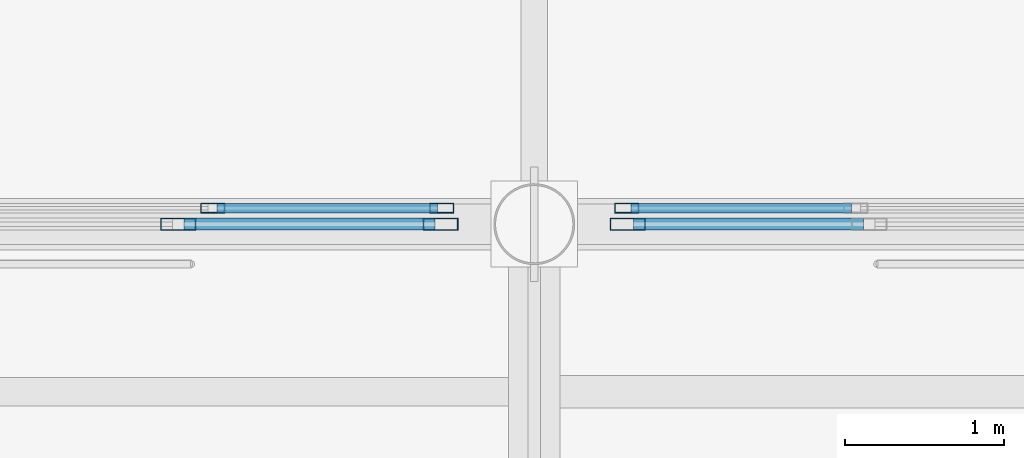
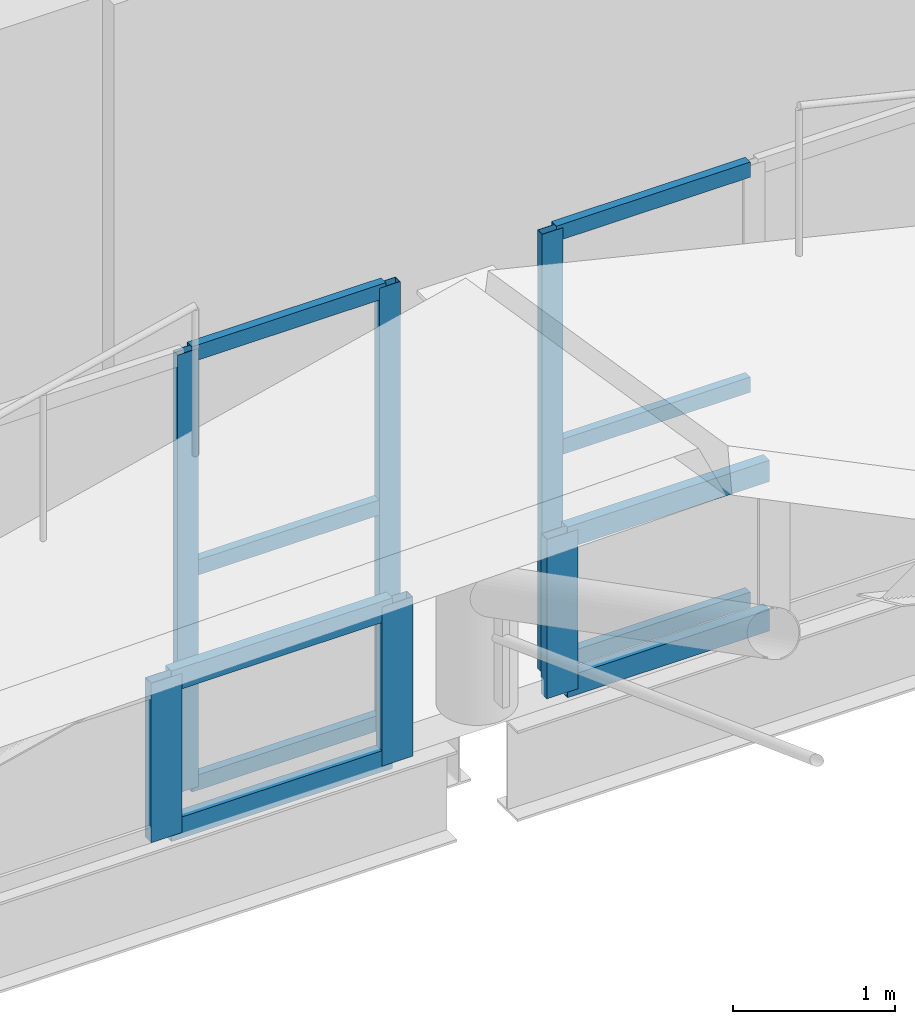
# One storey, part 25 of 120: 16 members, 4 elements without a shape of their own.
"""IFC4 building model written with IfcOpenShell, lengths in metres."""

import ifcopenshell
import ifcopenshell.guid

model = None  # the IFC model being written
_history = None  # IfcOwnerHistory: only IFC2X3 demands one
_inside = {}  # id of a spatial element -> (the spatial element, [elements in it])
_under = {}  # id of a project, library or spatial element -> (it, [spatial elements below it])
_declared = {}  # id of a project -> (the project, [libraries it declares])
_typed = {}  # id of a type object -> (the type object, [elements of that type])
_made_of = {}  # id of a material, layer set ... -> (it, [elements and type objects made of it])


def new_model(schema):
    """Start an empty IFC model of exactly this schema.

    Asked for "IFC4X3", IfcOpenShell would pick the latest addendum, in which some entities
    have other attributes; the version numbers below select the first issue.
    IFC2X3 requires an IfcOwnerHistory on every rooted entity: one is made here for all.
    """
    global model, _history
    if schema == "IFC4X3":
        model = ifcopenshell.file(schema_version=(4, 3, 0, 0))
    else:
        model = ifcopenshell.file(schema=schema)
    _inside.clear()
    _under.clear()
    _declared.clear()
    _typed.clear()
    _made_of.clear()
    _history = None
    if model.schema == "IFC2X3":
        org = make("IfcOrganization", Name="unknown")
        user = make(
            "IfcPersonAndOrganization",
            ThePerson=make("IfcPerson", FamilyName="unknown"),
            TheOrganization=org,
        )
        app = make(
            "IfcApplication",
            ApplicationDeveloper=org,
            Version="unknown",
            ApplicationFullName="unknown",
            ApplicationIdentifier="unknown",
        )
        _history = make(
            "IfcOwnerHistory",
            OwningUser=user,
            OwningApplication=app,
            ChangeAction="ADDED",
            CreationDate=0,
        )
    return model


def make(cls, **values):
    """One entity of the class cls with the attributes given. An attribute that is None is left unset."""
    return model.create_entity(
        cls, **{name: value for name, value in values.items() if value is not None}
    )


def rooted(cls, **values):
    """An entity with a GlobalId (a new one), such as an element, a storey or a relation."""
    return make(cls, GlobalId=ifcopenshell.guid.new(), OwnerHistory=_history, **values)


def si_unit(unit_type, name, prefix=None):
    """IfcSIUnit, for example si_unit("LENGTHUNIT", "METRE", prefix="MILLI")."""
    return make("IfcSIUnit", UnitType=unit_type, Prefix=prefix, Name=name)


def assignment(units):
    """IfcUnitAssignment: the units of a project."""
    return None if units is None else make("IfcUnitAssignment", Units=units)


def point(xyz):
    """IfcCartesianPoint."""
    return None if xyz is None else make("IfcCartesianPoint", Coordinates=xyz)


def direction(xyz):
    """IfcDirection."""
    return None if xyz is None else make("IfcDirection", DirectionRatios=xyz)


def frame(location, z_axis=None, x_axis=None):
    """IfcAxis2Placement3D, a coordinate frame: its origin and axes. An axis left out is left unset."""
    return make(
        "IfcAxis2Placement3D",
        Location=point(location),
        Axis=direction(z_axis),
        RefDirection=direction(x_axis),
    )


def frame_2d(location, x_axis=None):
    """IfcAxis2Placement2D, a coordinate frame in the plane: its origin and x axis."""
    return make(
        "IfcAxis2Placement2D", Location=point(location), RefDirection=direction(x_axis)
    )


def origin():
    """The frame at (0, 0, 0) with its axes left unset."""
    return frame((0.0, 0.0, 0.0))


def origin_2d():
    """The frame at (0, 0) in the plane with its x axis left unset."""
    return frame_2d((0.0, 0.0))


def place(relative_to, where):
    """IfcLocalPlacement: puts the frame where relative to a parent placement (None: the world)."""
    return make(
        "IfcLocalPlacement", PlacementRelTo=relative_to, RelativePlacement=where
    )


def context(
    kind, dimensions, precision=None, world=None, true_north=None, identifier=None
):
    """IfcGeometricRepresentationContext, for example the 3D "Model" context."""
    return make(
        "IfcGeometricRepresentationContext",
        ContextIdentifier=identifier,
        ContextType=kind,
        CoordinateSpaceDimension=dimensions,
        Precision=precision,
        WorldCoordinateSystem=world,
        TrueNorth=true_north,
    )


def subcontext(parent, identifier, kind, view, scale=None):
    """IfcGeometricRepresentationSubContext, for example "Body" below "Model"."""
    return make(
        "IfcGeometricRepresentationSubContext",
        ContextIdentifier=identifier,
        ContextType=kind,
        ParentContext=parent,
        TargetScale=scale,
        TargetView=view,
    )


def project(units=None, contexts=None):
    """IfcProject with its units and contexts."""
    return rooted(
        "IfcProject",
        Name="project",
        RepresentationContexts=contexts,
        UnitsInContext=assignment(units),
    )


def spatial(cls, under=None, at=None, **own):
    """A site, building, storey or space (cls), placed at a placement, below another one or the project."""
    s = rooted(cls, ObjectPlacement=at, **own)
    if under is not None:
        _under.setdefault(under.id(), (under, []))[1].append(s)
    return s


def profile(cls, at=None, kind="AREA", **sizes):
    """A parametric profile (cls). Its sizes go by their IFC names, for example OverallWidth=200.0."""
    return make(cls, ProfileType=kind, Position=at, **sizes)


def hollow_rectangle(**sizes):
    """IfcRectangleHollowProfileDef."""
    return profile("IfcRectangleHollowProfileDef", **sizes)


def extrude(swept, where, along, depth):
    """IfcExtrudedAreaSolid: the profile swept, set in the frame where, extruded along a direction by depth."""
    return make(
        "IfcExtrudedAreaSolid",
        SweptArea=swept,
        Position=where,
        ExtrudedDirection=direction(along),
        Depth=depth,
    )


def shape(context_of_items, identifier, shape_type, items):
    """IfcShapeRepresentation: the items that make up one representation, for example the "Body"."""
    return make(
        "IfcShapeRepresentation",
        ContextOfItems=context_of_items,
        RepresentationIdentifier=identifier,
        RepresentationType=shape_type,
        Items=items,
    )


def material(Name=None, Category=None):
    """IfcMaterial."""
    return make("IfcMaterial", Name=Name, Category=Category)


def material_profile(
    of_material, cross_section, Name=None, Category=None, Priority=None
):
    """IfcMaterialProfile: a cross section and its material."""
    return make(
        "IfcMaterialProfile",
        Name=Name,
        Material=of_material,
        Profile=cross_section,
        Priority=Priority,
        Category=Category,
    )


def profile_set(profiles, Name=None, composite=None):
    """IfcMaterialProfileSet."""
    return make(
        "IfcMaterialProfileSet",
        Name=Name,
        MaterialProfiles=profiles,
        CompositeProfile=composite,
    )


def made_of(thing, what):
    """Note that an element or type object is made of a material, layer set ...; save() writes the relation."""
    if what is not None:
        _made_of.setdefault(what.id(), (what, []))[1].append(thing)
    return thing


def type_object(cls, material=None, **own):
    """A type object (cls), such as IfcWallType, which elements share."""
    return made_of(rooted(cls, **own), material)


def element(
    cls,
    number,
    at=None,
    inside=None,
    cuts=None,
    type_object=None,
    material=None,
    context=None,
    identifier="Body",
    shape_type=None,
    held_by="IfcProductDefinitionShape",
    body=None,
    shapes=None,
    **own,
):
    """One element of the class cls, such as IfcWall. Its Tag is "e" and its number.

    at: its placement. inside: the storey or other place that contains it. cuts: it is an
    opening in that element (IfcRelVoidsElement). A single representation is given by context,
    identifier, shape_type and body (its items); several are given by shapes. held_by: the class
    of the entity that holds the representations. save() writes the other relations.
    """
    e = rooted(cls, Tag="e%d" % number, ObjectPlacement=at, **own)
    if body is not None:
        shapes = [shape(context, identifier, shape_type, body)]
    if shapes is not None:
        e.Representation = make(held_by, Representations=shapes)
    if inside is not None:
        _inside.setdefault(inside.id(), (inside, []))[1].append(e)
    if cuts is not None:
        rooted(
            "IfcRelVoidsElement", RelatingBuildingElement=cuts, RelatedOpeningElement=e
        )
    if type_object is not None:
        _typed.setdefault(type_object.id(), (type_object, []))[1].append(e)
    return made_of(e, material)


def aggregate(whole, parts):
    """IfcRelAggregates: a whole, such as a stair, and the parts it consists of."""
    return rooted("IfcRelAggregates", RelatingObject=whole, RelatedObjects=parts)


def save(model, path):
    """Write the relations noted so far, then the file.

    IfcRelAggregates (storeys below a building ...), IfcRelContainedInSpatialStructure (elements
    in a storey), IfcRelDefinesByType, IfcRelAssociatesMaterial and IfcRelDeclares: one each for
    every whole, place, type object, material and project.
    """
    for whole, parts in _under.values():
        aggregate(whole, parts)
    for where, things in _inside.values():
        rooted(
            "IfcRelContainedInSpatialStructure",
            RelatedElements=things,
            RelatingStructure=where,
        )
    for kind, things in _typed.values():
        rooted("IfcRelDefinesByType", RelatedObjects=things, RelatingType=kind)
    for what, things in _made_of.values():
        rooted("IfcRelAssociatesMaterial", RelatedObjects=things, RelatingMaterial=what)
    for by, libraries in _declared.values():
        rooted("IfcRelDeclares", RelatingContext=by, RelatedDefinitions=libraries)
    model.write(path)


model = new_model("IFC4")

# Units and contexts
model_context = context("Model", 3, precision=1e-05, world=origin(), true_north=direction((0.0, 1.0)))
body_context = subcontext(model_context, "Body", "Model", "MODEL_VIEW")
ifc_project = project(units=[si_unit("LENGTHUNIT", "METRE"), si_unit("AREAUNIT", "SQUARE_METRE"), si_unit("VOLUMEUNIT", "CUBIC_METRE"), si_unit("PLANEANGLEUNIT", "RADIAN"), si_unit("MASSUNIT", "GRAM", prefix="KILO")], contexts=[model_context])

# Site, building, storey
site_placement = place(None, origin())
site = spatial("IfcSite", under=ifc_project, at=site_placement, CompositionType="ELEMENT")
building_placement = place(site_placement, origin())
building = spatial("IfcBuilding", under=site, at=building_placement, Name="Caurita Quay Ferry Terminal", CompositionType="ELEMENT")
storey_placement = place(building_placement, frame((0.0, 0.0, 9.89990234375)))
storey = spatial("IfcBuildingStorey", under=building, at=storey_placement, Name="L02", CompositionType="ELEMENT", Elevation=9.89990234375)

# Curtain wall, members
ifc_material_1 = material(Name="Laminated solar-control insulated glass", Category="glass")
curtain_wall_type_1 = type_object("IfcCurtainWallType", Name="CW-SYS-13", PredefinedType="NOTDEFINED", material=ifc_material_1)
curtain_wall_1_placement = place(storey_placement, origin())
curtain_wall_1 = element("IfcCurtainWall", 1, at=curtain_wall_1_placement, inside=storey, type_object=curtain_wall_type_1, Name="Mezzanine Hall Overlook Glazing 094", PredefinedType="NOTDEFINED")
ifc_material_2 = material(Name="Anodized aluminium 6063-T6", Category="aluminium")
ifc_material_profile_1 = material_profile(ifc_material_2, hollow_rectangle(XDim=0.06005859375, YDim=0.14990234375, WallThickness=0.00341796875, at=origin_2d()), Name="ALU-MUL-60X150")
ifc_profile_set_1 = profile_set([ifc_material_profile_1], Name="Anodized aluminium 6063-T6")
member_type_1 = type_object("IfcMemberType", Name="CW-MUL-150", PredefinedType="MULLION", material=ifc_profile_set_1)
member_1_placement = place(storey_placement, frame((30.9833984375, 62.800048828125, 0.0), z_axis=(0.0, 0.0, 1.0), x_axis=(0.0, 1.0, 0.0)))
member_1 = element("IfcMember", 2, at=member_1_placement, type_object=member_type_1, Name="CW-MZL-094 Mullion 3", PredefinedType="MULLION", context=body_context, shape_type="SweptSolid", body=[
    extrude(hollow_rectangle(XDim=0.06005859375, YDim=0.14990234375, WallThickness=0.00341796875, at=origin_2d()), origin(), (0.0, 0.0, 1.0), 3.300048828125),
])
member_2_placement = place(storey_placement, frame((32.419921875, 62.800048828125, 0.0), z_axis=(0.0, 0.0, 1.0), x_axis=(0.0, 1.0, 0.0)))
member_2 = element("IfcMember", 3, at=member_2_placement, type_object=member_type_1, Name="CW-MZL-094 Mullion 4", PredefinedType="MULLION", context=body_context, shape_type="SweptSolid", body=[
    extrude(hollow_rectangle(XDim=0.06005859375, YDim=0.14990234375, WallThickness=0.00341796875, at=origin_2d()), origin(), (0.0, 0.0, 1.0), 3.300048828125),
])

# Curtain wall, member
curtain_wall_2_placement = place(storey_placement, origin())
curtain_wall_2 = element("IfcCurtainWall", 4, at=curtain_wall_2_placement, inside=storey, type_object=curtain_wall_type_1, Name="Mezzanine Hall Overlook Glazing 095", PredefinedType="NOTDEFINED")
member_3_placement = place(storey_placement, frame((33.580078125, 62.800048828125, 0.0), z_axis=(0.0, 0.0, 1.0), x_axis=(0.0, 1.0, 0.0)))
member_3 = element("IfcMember", 5, at=member_3_placement, type_object=member_type_1, Name="CW-MZL-095 Mullion 1", PredefinedType="MULLION", context=body_context, shape_type="SweptSolid", body=[
    extrude(hollow_rectangle(XDim=0.06005859375, YDim=0.14990234375, WallThickness=0.00341796875, at=origin_2d()), origin(), (0.0, 0.0, 1.0), 3.300048828125),
])

# Curtain wall, members
curtain_wall_type_2 = type_object("IfcCurtainWallType", Name="CW-SYS-06", PredefinedType="NOTDEFINED", material=ifc_material_1)
curtain_wall_3_placement = place(storey_placement, origin())
curtain_wall_3 = element("IfcCurtainWall", 6, at=curtain_wall_3_placement, inside=storey, type_object=curtain_wall_type_2, Name="Folded Roof Clerestory FB-02-N2", PredefinedType="NOTDEFINED")
ifc_material_profile_2 = material_profile(ifc_material_2, hollow_rectangle(XDim=0.074951171875, YDim=0.219970703125, WallThickness=0.00390625, at=origin_2d()), Name="ALU-MUL-75X220")
ifc_profile_set_2 = profile_set([ifc_material_profile_2], Name="Anodized aluminium 6063-T6")
member_type_2 = type_object("IfcMemberType", Name="CW-MUL-220", PredefinedType="MULLION", material=ifc_profile_set_2)
member_4_placement = place(storey_placement, frame((30.7666015625, 62.699951171875, -0.218994140625), z_axis=(0.0, 0.0, 1.0), x_axis=(0.0, 1.0, 0.0)))
member_4 = element("IfcMember", 7, at=member_4_placement, type_object=member_type_2, Name="CW-CLR-014 Mullion 3", PredefinedType="MULLION", context=body_context, shape_type="SweptSolid", body=[
    extrude(hollow_rectangle(XDim=0.074951171875, YDim=0.219970703125, WallThickness=0.00390625, at=origin_2d()), origin(), (0.0, 0.0, 1.0), 1.2001953125),
])
member_5_placement = place(storey_placement, frame((32.41259765625, 62.699951171875, -0.218994140625), z_axis=(0.0, 0.0, 1.0), x_axis=(0.0, 1.0, 0.0)))
member_5 = element("IfcMember", 8, at=member_5_placement, type_object=member_type_2, Name="CW-CLR-014 Mullion 4", PredefinedType="MULLION", context=body_context, shape_type="SweptSolid", body=[
    extrude(hollow_rectangle(XDim=0.074951171875, YDim=0.219970703125, WallThickness=0.00390625, at=origin_2d()), origin(), (0.0, 0.0, 1.0), 1.2001953125),
])

# Curtain wall, member
curtain_wall_type_3 = type_object("IfcCurtainWallType", Name="CW-SYS-05", PredefinedType="NOTDEFINED", material=ifc_material_1)
curtain_wall_4_placement = place(storey_placement, origin())
curtain_wall_4 = element("IfcCurtainWall", 9, at=curtain_wall_4_placement, inside=storey, type_object=curtain_wall_type_3, Name="Folded Roof Clerestory FB-02-N3", PredefinedType="NOTDEFINED")
member_6_placement = place(storey_placement, frame((33.58740234375, 62.699951171875, -0.122802734375), z_axis=(0.0, 0.0, 1.0), x_axis=(0.0, 1.0, 0.0)))
member_6 = element("IfcMember", 10, at=member_6_placement, type_object=member_type_2, Name="CW-CLR-015 Mullion 1", PredefinedType="MULLION", context=body_context, shape_type="SweptSolid", body=[
    extrude(hollow_rectangle(XDim=0.074951171875, YDim=0.219970703125, WallThickness=0.00390625, at=origin_2d()), origin(), (0.0, 0.0, 1.0), 1.199951171875),
])

# Member
ifc_material_profile_3 = material_profile(ifc_material_2, hollow_rectangle(XDim=0.06005859375, YDim=0.114990234375, WallThickness=0.00341796875, at=origin_2d()), Name="ALU-TRN-60X115")
ifc_profile_set_3 = profile_set([ifc_material_profile_3], Name="Anodized aluminium 6063-T6")
member_type_3 = type_object("IfcMemberType", Name="CW-TRN-115", PredefinedType="USERDEFINED", material=ifc_profile_set_3)
member_7_placement = place(storey_placement, frame((31.01123046875, 62.800048828125, 0.030029296875), z_axis=(1.0, 0.0, 0.0), x_axis=(0.0, 1.0, 0.0)))
member_7 = element("IfcMember", 11, at=member_7_placement, type_object=member_type_3, Name="CW-MZL-094 Transom 7", ObjectType="TRANSOM", PredefinedType="USERDEFINED", context=body_context, shape_type="SweptSolid", body=[
    extrude(hollow_rectangle(XDim=0.06005859375, YDim=0.114990234375, WallThickness=0.00341796875, at=origin_2d()), origin(), (0.0, 0.0, 1.0), 1.380859375),
])

member_8_placement = place(storey_placement, frame((31.01123046875, 62.800048828125, 1.650146484375), z_axis=(1.0, 0.0, 0.0), x_axis=(0.0, 1.0, 0.0)))
member_8 = element("IfcMember", 12, at=member_8_placement, type_object=member_type_3, Name="CW-MZL-094 Transom 8", ObjectType="TRANSOM", PredefinedType="USERDEFINED", context=body_context, shape_type="SweptSolid", body=[
    extrude(hollow_rectangle(XDim=0.06005859375, YDim=0.114990234375, WallThickness=0.00341796875, at=origin_2d()), origin(), (0.0, 0.0, 1.0), 1.380859375),
])

member_9_placement = place(storey_placement, frame((31.01123046875, 62.800048828125, 3.27001953125), z_axis=(1.0, 0.0, 0.0), x_axis=(0.0, 1.0, 0.0)))
member_9 = element("IfcMember", 13, at=member_9_placement, type_object=member_type_3, Name="CW-MZL-094 Transom 9", ObjectType="TRANSOM", PredefinedType="USERDEFINED", context=body_context, shape_type="SweptSolid", body=[
    extrude(hollow_rectangle(XDim=0.06005859375, YDim=0.114990234375, WallThickness=0.00341796875, at=origin_2d()), origin(), (0.0, 0.0, 1.0), 1.380859375),
])

aggregate(curtain_wall_1, [member_1, member_2, member_7, member_8, member_9])

member_10_placement = place(storey_placement, frame((33.60791015625, 62.800048828125, 0.030029296875), z_axis=(1.0, 0.0, 0.0), x_axis=(0.0, 1.0, 0.0)))
member_10 = element("IfcMember", 14, at=member_10_placement, type_object=member_type_3, Name="CW-MZL-095 Transom 1", ObjectType="TRANSOM", PredefinedType="USERDEFINED", context=body_context, shape_type="SweptSolid", body=[
    extrude(hollow_rectangle(XDim=0.06005859375, YDim=0.114990234375, WallThickness=0.00341796875, at=origin_2d()), origin(), (0.0, 0.0, 1.0), 1.380859375),
])

member_11_placement = place(storey_placement, frame((33.60791015625, 62.800048828125, 1.650146484375), z_axis=(1.0, 0.0, 0.0), x_axis=(0.0, 1.0, 0.0)))
member_11 = element("IfcMember", 15, at=member_11_placement, type_object=member_type_3, Name="CW-MZL-095 Transom 2", ObjectType="TRANSOM", PredefinedType="USERDEFINED", context=body_context, shape_type="SweptSolid", body=[
    extrude(hollow_rectangle(XDim=0.06005859375, YDim=0.114990234375, WallThickness=0.00341796875, at=origin_2d()), origin(), (0.0, 0.0, 1.0), 1.380859375),
])

member_12_placement = place(storey_placement, frame((33.60791015625, 62.800048828125, 3.27001953125), z_axis=(1.0, 0.0, 0.0), x_axis=(0.0, 1.0, 0.0)))
member_12 = element("IfcMember", 16, at=member_12_placement, type_object=member_type_3, Name="CW-MZL-095 Transom 3", ObjectType="TRANSOM", PredefinedType="USERDEFINED", context=body_context, shape_type="SweptSolid", body=[
    extrude(hollow_rectangle(XDim=0.06005859375, YDim=0.114990234375, WallThickness=0.00341796875, at=origin_2d()), origin(), (0.0, 0.0, 1.0), 1.380859375),
])

aggregate(curtain_wall_2, [member_3, member_10, member_11, member_12])

ifc_material_profile_4 = material_profile(ifc_material_2, hollow_rectangle(XDim=0.074951171875, YDim=0.159912109375, WallThickness=0.00390625, at=origin_2d()), Name="ALU-TRN-75X160")
ifc_profile_set_4 = profile_set([ifc_material_profile_4], Name="Anodized aluminium 6063-T6")
member_type_4 = type_object("IfcMemberType", Name="CW-TRN-160", PredefinedType="USERDEFINED", material=ifc_profile_set_4)
member_13_placement = place(storey_placement, frame((30.80224609375, 62.699951171875, -0.181396484375), z_axis=(1.0, 0.0, 0.0), x_axis=(0.0, 1.0, 0.0)))
member_13 = element("IfcMember", 17, at=member_13_placement, type_object=member_type_4, Name="CW-CLR-014 Transom 5", ObjectType="TRANSOM", PredefinedType="USERDEFINED", context=body_context, shape_type="SweptSolid", body=[
    extrude(hollow_rectangle(XDim=0.074951171875, YDim=0.159912109375, WallThickness=0.00390625, at=origin_2d()), origin(), (0.0, 0.0, 1.0), 1.57470703125),
])

member_14_placement = place(storey_placement, frame((30.80224609375, 62.699951171875, 0.943603515625), z_axis=(1.0, 0.0, 0.0), x_axis=(0.0, 1.0, 0.0)))
member_14 = element("IfcMember", 18, at=member_14_placement, type_object=member_type_4, Name="CW-CLR-014 Transom 6", ObjectType="TRANSOM", PredefinedType="USERDEFINED", context=body_context, shape_type="SweptSolid", body=[
    extrude(hollow_rectangle(XDim=0.074951171875, YDim=0.159912109375, WallThickness=0.00390625, at=origin_2d()), origin(), (0.0, 0.0, 1.0), 1.57470703125),
])

aggregate(curtain_wall_3, [member_4, member_5, member_13, member_14])

member_15_placement = place(storey_placement, frame((33.623046875, 62.699951171875, -0.08544921875), z_axis=(1.0, 0.0, 0.0), x_axis=(0.0, 1.0, 0.0)))
member_15 = element("IfcMember", 19, at=member_15_placement, type_object=member_type_4, Name="CW-CLR-015 Transom 1", ObjectType="TRANSOM", PredefinedType="USERDEFINED", context=body_context, shape_type="SweptSolid", body=[
    extrude(hollow_rectangle(XDim=0.074951171875, YDim=0.159912109375, WallThickness=0.00390625, at=origin_2d()), origin(), (0.0, 0.0, 1.0), 1.44140625),
])

member_16_placement = place(storey_placement, frame((33.623046875, 62.699951171875, 1.03955078125), z_axis=(1.0, 0.0, 0.0), x_axis=(0.0, 1.0, 0.0)))
member_16 = element("IfcMember", 20, at=member_16_placement, type_object=member_type_4, Name="CW-CLR-015 Transom 2", ObjectType="TRANSOM", PredefinedType="USERDEFINED", context=body_context, shape_type="SweptSolid", body=[
    extrude(hollow_rectangle(XDim=0.074951171875, YDim=0.159912109375, WallThickness=0.00390625, at=origin_2d()), origin(), (0.0, 0.0, 1.0), 1.44140625),
])

aggregate(curtain_wall_4, [member_6, member_15, member_16])

save(model, "model.ifc")
